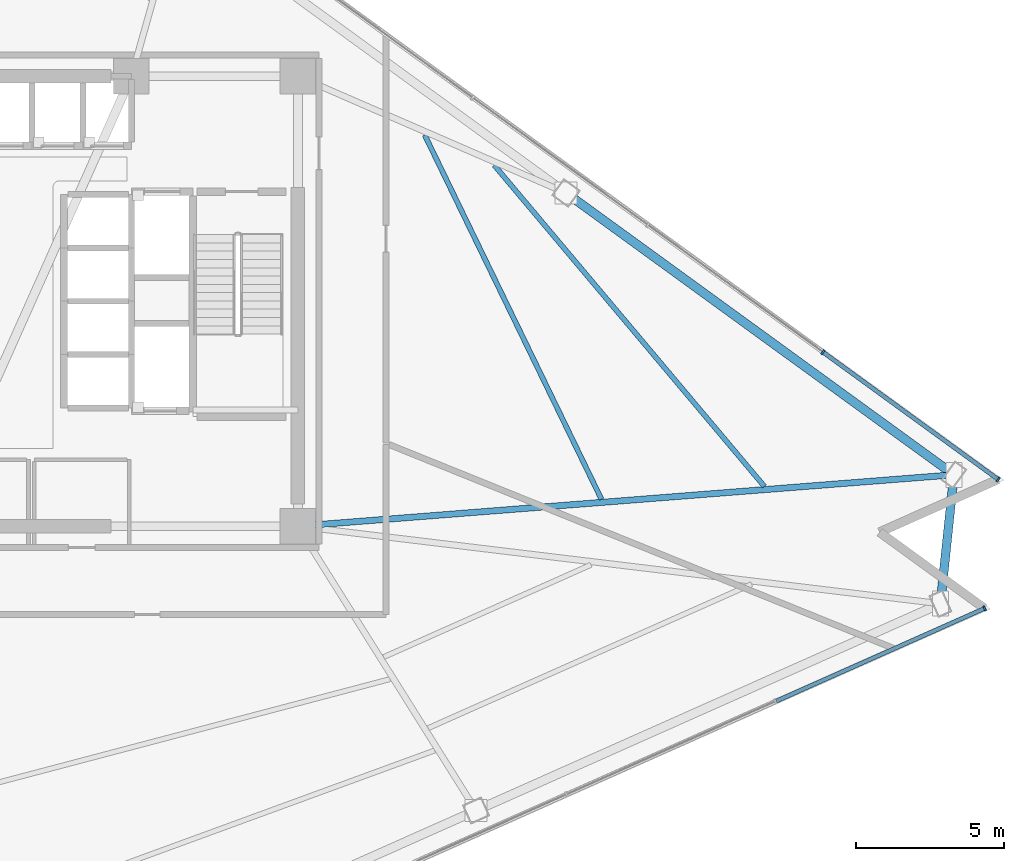
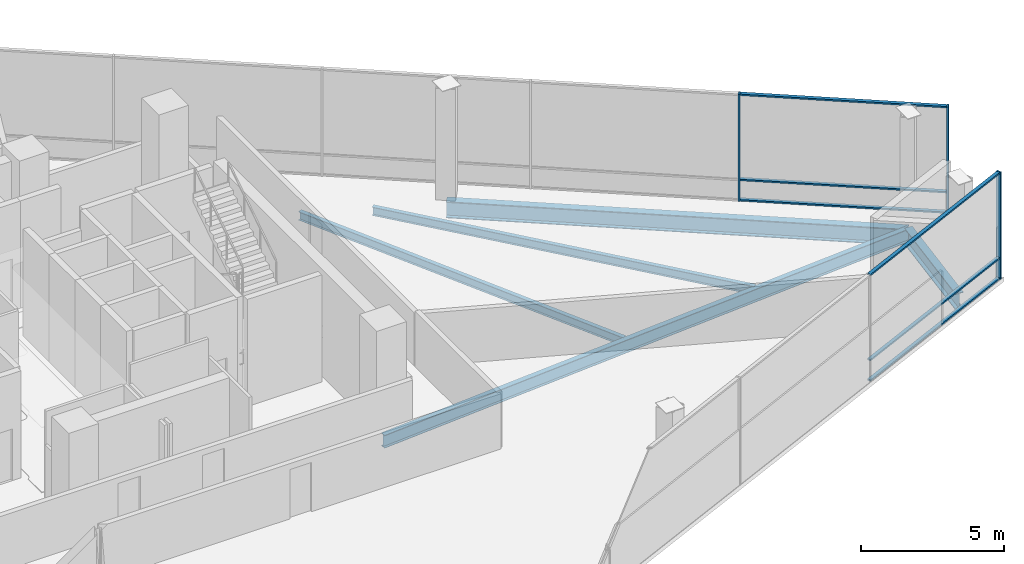
# One storey, part 6 of 18: 9 members, 5 beams, 2 elements without a shape of their own.
"""IFC4 building model written with IfcOpenShell, lengths in metres."""

import ifcopenshell
import ifcopenshell.guid

model = None  # the IFC model being written
_history = None  # IfcOwnerHistory: only IFC2X3 demands one
_inside = {}  # id of a spatial element -> (the spatial element, [elements in it])
_under = {}  # id of a project, library or spatial element -> (it, [spatial elements below it])
_declared = {}  # id of a project -> (the project, [libraries it declares])
_typed = {}  # id of a type object -> (the type object, [elements of that type])
_made_of = {}  # id of a material, layer set ... -> (it, [elements and type objects made of it])


def new_model(schema):
    """Start an empty IFC model of exactly this schema.

    Asked for "IFC4X3", IfcOpenShell would pick the latest addendum, in which some entities
    have other attributes; the version numbers below select the first issue.
    IFC2X3 requires an IfcOwnerHistory on every rooted entity: one is made here for all.
    """
    global model, _history
    if schema == "IFC4X3":
        model = ifcopenshell.file(schema_version=(4, 3, 0, 0))
    else:
        model = ifcopenshell.file(schema=schema)
    _inside.clear()
    _under.clear()
    _declared.clear()
    _typed.clear()
    _made_of.clear()
    _history = None
    if model.schema == "IFC2X3":
        org = make("IfcOrganization", Name="unknown")
        user = make(
            "IfcPersonAndOrganization",
            ThePerson=make("IfcPerson", FamilyName="unknown"),
            TheOrganization=org,
        )
        app = make(
            "IfcApplication",
            ApplicationDeveloper=org,
            Version="unknown",
            ApplicationFullName="unknown",
            ApplicationIdentifier="unknown",
        )
        _history = make(
            "IfcOwnerHistory",
            OwningUser=user,
            OwningApplication=app,
            ChangeAction="ADDED",
            CreationDate=0,
        )
    return model


def make(cls, **values):
    """One entity of the class cls with the attributes given. An attribute that is None is left unset."""
    return model.create_entity(
        cls, **{name: value for name, value in values.items() if value is not None}
    )


def rooted(cls, **values):
    """An entity with a GlobalId (a new one), such as an element, a storey or a relation."""
    return make(cls, GlobalId=ifcopenshell.guid.new(), OwnerHistory=_history, **values)


def si_unit(unit_type, name, prefix=None):
    """IfcSIUnit, for example si_unit("LENGTHUNIT", "METRE", prefix="MILLI")."""
    return make("IfcSIUnit", UnitType=unit_type, Prefix=prefix, Name=name)


def assignment(units):
    """IfcUnitAssignment: the units of a project."""
    return None if units is None else make("IfcUnitAssignment", Units=units)


def point(xyz):
    """IfcCartesianPoint."""
    return None if xyz is None else make("IfcCartesianPoint", Coordinates=xyz)


def direction(xyz):
    """IfcDirection."""
    return None if xyz is None else make("IfcDirection", DirectionRatios=xyz)


def frame(location, z_axis=None, x_axis=None):
    """IfcAxis2Placement3D, a coordinate frame: its origin and axes. An axis left out is left unset."""
    return make(
        "IfcAxis2Placement3D",
        Location=point(location),
        Axis=direction(z_axis),
        RefDirection=direction(x_axis),
    )


def frame_2d(location, x_axis=None):
    """IfcAxis2Placement2D, a coordinate frame in the plane: its origin and x axis."""
    return make(
        "IfcAxis2Placement2D", Location=point(location), RefDirection=direction(x_axis)
    )


def origin():
    """The frame at (0, 0, 0) with its axes left unset."""
    return frame((0.0, 0.0, 0.0))


def origin_2d():
    """The frame at (0, 0) in the plane with its x axis left unset."""
    return frame_2d((0.0, 0.0))


def place(relative_to, where):
    """IfcLocalPlacement: puts the frame where relative to a parent placement (None: the world)."""
    return make(
        "IfcLocalPlacement", PlacementRelTo=relative_to, RelativePlacement=where
    )


def context(
    kind, dimensions, precision=None, world=None, true_north=None, identifier=None
):
    """IfcGeometricRepresentationContext, for example the 3D "Model" context."""
    return make(
        "IfcGeometricRepresentationContext",
        ContextIdentifier=identifier,
        ContextType=kind,
        CoordinateSpaceDimension=dimensions,
        Precision=precision,
        WorldCoordinateSystem=world,
        TrueNorth=true_north,
    )


def subcontext(parent, identifier, kind, view, scale=None):
    """IfcGeometricRepresentationSubContext, for example "Body" below "Model"."""
    return make(
        "IfcGeometricRepresentationSubContext",
        ContextIdentifier=identifier,
        ContextType=kind,
        ParentContext=parent,
        TargetScale=scale,
        TargetView=view,
    )


def project(units=None, contexts=None):
    """IfcProject with its units and contexts."""
    return rooted(
        "IfcProject",
        Name="project",
        RepresentationContexts=contexts,
        UnitsInContext=assignment(units),
    )


def spatial(cls, under=None, at=None, **own):
    """A site, building, storey or space (cls), placed at a placement, below another one or the project."""
    s = rooted(cls, ObjectPlacement=at, **own)
    if under is not None:
        _under.setdefault(under.id(), (under, []))[1].append(s)
    return s


def profile(cls, at=None, kind="AREA", **sizes):
    """A parametric profile (cls). Its sizes go by their IFC names, for example OverallWidth=200.0."""
    return make(cls, ProfileType=kind, Position=at, **sizes)


def rectangle(**sizes):
    """IfcRectangleProfileDef."""
    return profile("IfcRectangleProfileDef", **sizes)


def i_section(**sizes):
    """IfcIShapeProfileDef."""
    return profile("IfcIShapeProfileDef", **sizes)


def extrude(swept, where, along, depth):
    """IfcExtrudedAreaSolid: the profile swept, set in the frame where, extruded along a direction by depth."""
    return make(
        "IfcExtrudedAreaSolid",
        SweptArea=swept,
        Position=where,
        ExtrudedDirection=direction(along),
        Depth=depth,
    )


def shape(context_of_items, identifier, shape_type, items):
    """IfcShapeRepresentation: the items that make up one representation, for example the "Body"."""
    return make(
        "IfcShapeRepresentation",
        ContextOfItems=context_of_items,
        RepresentationIdentifier=identifier,
        RepresentationType=shape_type,
        Items=items,
    )


def material(Name=None, Category=None):
    """IfcMaterial."""
    return make("IfcMaterial", Name=Name, Category=Category)


def layer(
    of_material, thickness, ventilated=None, Name=None, Category=None, Priority=None
):
    """IfcMaterialLayer: one layer of a wall or slab, of a material (None: an air gap)."""
    return make(
        "IfcMaterialLayer",
        Material=of_material,
        LayerThickness=thickness,
        IsVentilated=ventilated,
        Name=Name,
        Category=Category,
        Priority=Priority,
    )


def layer_set(layers, Name=None):
    """IfcMaterialLayerSet."""
    return make("IfcMaterialLayerSet", MaterialLayers=layers, LayerSetName=Name)


def material_profile(
    of_material, cross_section, Name=None, Category=None, Priority=None
):
    """IfcMaterialProfile: a cross section and its material."""
    return make(
        "IfcMaterialProfile",
        Name=Name,
        Material=of_material,
        Profile=cross_section,
        Priority=Priority,
        Category=Category,
    )


def profile_set(profiles, Name=None, composite=None):
    """IfcMaterialProfileSet."""
    return make(
        "IfcMaterialProfileSet",
        Name=Name,
        MaterialProfiles=profiles,
        CompositeProfile=composite,
    )


def made_of(thing, what):
    """Note that an element or type object is made of a material, layer set ...; save() writes the relation."""
    if what is not None:
        _made_of.setdefault(what.id(), (what, []))[1].append(thing)
    return thing


def type_object(cls, material=None, **own):
    """A type object (cls), such as IfcWallType, which elements share."""
    return made_of(rooted(cls, **own), material)


def element(
    cls,
    number,
    at=None,
    inside=None,
    cuts=None,
    type_object=None,
    material=None,
    context=None,
    identifier="Body",
    shape_type=None,
    held_by="IfcProductDefinitionShape",
    body=None,
    shapes=None,
    **own,
):
    """One element of the class cls, such as IfcWall. Its Tag is "e" and its number.

    at: its placement. inside: the storey or other place that contains it. cuts: it is an
    opening in that element (IfcRelVoidsElement). A single representation is given by context,
    identifier, shape_type and body (its items); several are given by shapes. held_by: the class
    of the entity that holds the representations. save() writes the other relations.
    """
    e = rooted(cls, Tag="e%d" % number, ObjectPlacement=at, **own)
    if body is not None:
        shapes = [shape(context, identifier, shape_type, body)]
    if shapes is not None:
        e.Representation = make(held_by, Representations=shapes)
    if inside is not None:
        _inside.setdefault(inside.id(), (inside, []))[1].append(e)
    if cuts is not None:
        rooted(
            "IfcRelVoidsElement", RelatingBuildingElement=cuts, RelatedOpeningElement=e
        )
    if type_object is not None:
        _typed.setdefault(type_object.id(), (type_object, []))[1].append(e)
    return made_of(e, material)


def aggregate(whole, parts):
    """IfcRelAggregates: a whole, such as a stair, and the parts it consists of."""
    return rooted("IfcRelAggregates", RelatingObject=whole, RelatedObjects=parts)


def save(model, path):
    """Write the relations noted so far, then the file.

    IfcRelAggregates (storeys below a building ...), IfcRelContainedInSpatialStructure (elements
    in a storey), IfcRelDefinesByType, IfcRelAssociatesMaterial and IfcRelDeclares: one each for
    every whole, place, type object, material and project.
    """
    for whole, parts in _under.values():
        aggregate(whole, parts)
    for where, things in _inside.values():
        rooted(
            "IfcRelContainedInSpatialStructure",
            RelatedElements=things,
            RelatingStructure=where,
        )
    for kind, things in _typed.values():
        rooted("IfcRelDefinesByType", RelatedObjects=things, RelatingType=kind)
    for what, things in _made_of.values():
        rooted("IfcRelAssociatesMaterial", RelatedObjects=things, RelatingMaterial=what)
    for by, libraries in _declared.values():
        rooted("IfcRelDeclares", RelatingContext=by, RelatedDefinitions=libraries)
    model.write(path)


model = new_model("IFC4")

# Units and contexts
model_context = context("Model", 3, precision=1e-05, world=origin(), true_north=direction((0.0, 1.0)))
body_context = subcontext(model_context, "Body", "Model", "MODEL_VIEW")
ifc_project = project(units=[si_unit("LENGTHUNIT", "METRE"), si_unit("AREAUNIT", "SQUARE_METRE"), si_unit("VOLUMEUNIT", "CUBIC_METRE"), si_unit("PLANEANGLEUNIT", "RADIAN"), si_unit("MASSUNIT", "GRAM", prefix="KILO")], contexts=[model_context])

# Site, building, storey
site_placement = place(None, origin())
site = spatial("IfcSite", under=ifc_project, at=site_placement, CompositionType="ELEMENT")
building_placement = place(site_placement, origin())
building = spatial("IfcBuilding", under=site, at=building_placement, Name="Tharavind Bronze Gate", CompositionType="ELEMENT")
storey_placement = place(building_placement, frame((0.0, 0.0, 134.050048828125)))
storey = spatial("IfcBuildingStorey", under=building, at=storey_placement, Name="L34", CompositionType="ELEMENT", Elevation=134.050048828125)

# Curtain wall, member
ifc_material_1 = material(Name="Anodised Bronze Aluminium", Category="aluminium")
ifc_layer = layer(ifc_material_1, 0.219970703125)
ifc_layer_set = layer_set([ifc_layer], Name="Anodised Bronze Aluminium")
curtain_wall_type = type_object("IfcCurtainWallType", Name="UNITISED CURTAIN WALL LOWER OFFICE", PredefinedType="USERDEFINED", material=ifc_layer_set)
curtain_wall_1_placement = place(storey_placement, origin())
curtain_wall_1 = element("IfcCurtainWall", 1, at=curtain_wall_1_placement, inside=storey, type_object=curtain_wall_type, Name="L34 unitised curtain wall lower office CW-L34-S2", ObjectType="UNITISED CURTAIN WALL", PredefinedType="USERDEFINED")
member_type_1 = type_object("IfcMemberType", Name="CURTAIN WALL BRONZE MULLION 65X180", PredefinedType="MULLION", material=ifc_material_1)
member_1_placement = place(storey_placement, frame((32.099853515625, -10.3759765625, 0.0), z_axis=(0.0, 0.0, 1.0), x_axis=(0.913545457643, 0.406736643076, 0.0)))
member_1 = element("IfcMember", 2, at=member_1_placement, type_object=member_type_1, Name="CW-L34-S2 mullion 8", PredefinedType="MULLION", context=body_context, shape_type="SweptSolid", body=[
    extrude(rectangle(XDim=0.06494140625, YDim=0.179931640625, at=origin_2d()), origin(), (0.0, 0.0, 1.0), 4.56005859375),
])

# Curtain wall, members
curtain_wall_2_placement = place(storey_placement, origin())
curtain_wall_2 = element("IfcCurtainWall", 3, at=curtain_wall_2_placement, inside=storey, type_object=curtain_wall_type, Name="L34 unitised curtain wall lower office CW-L34-S3", ObjectType="UNITISED CURTAIN WALL", PredefinedType="USERDEFINED")
member_2_placement = place(storey_placement, frame((32.5576171875, -6.02001953125, 0.0), z_axis=(0.0, 0.0, 1.0), x_axis=(-0.809016994375, 0.587785252292, 0.0)))
member_2 = element("IfcMember", 4, at=member_2_placement, type_object=member_type_1, Name="CW-L34-S3 mullion 1", PredefinedType="MULLION", context=body_context, shape_type="SweptSolid", body=[
    extrude(rectangle(XDim=0.06494140625, YDim=0.179931640625, at=origin_2d()), origin(), (0.0, 0.0, 1.0), 4.56005859375),
])
member_3_placement = place(storey_placement, frame((26.64111328125, -1.72119140625, 0.0), z_axis=(0.0, 0.0, 1.0), x_axis=(-0.809016994375, 0.587785252292, 0.0)))
member_3 = element("IfcMember", 5, at=member_3_placement, type_object=member_type_1, Name="CW-L34-S3 mullion 2", PredefinedType="MULLION", context=body_context, shape_type="SweptSolid", body=[
    extrude(rectangle(XDim=0.06494140625, YDim=0.179931640625, at=origin_2d()), origin(), (0.0, 0.0, 1.0), 4.56005859375),
])

# Member
member_type_2 = type_object("IfcMemberType", Name="CURTAIN WALL BRONZE TRANSOM 65X140", PredefinedType="USERDEFINED", material=ifc_material_1)
member_4_placement = place(storey_placement, frame((28.568603515625, -11.947998046875, 0.0), z_axis=(0.0, 0.0, 1.0), x_axis=(0.913545457643, 0.406736643076, 0.0)))
member_4 = element("IfcMember", 6, at=member_4_placement, type_object=member_type_2, Name="CW-L34-S2 transom TB7", ObjectType="TRANSOM", PredefinedType="USERDEFINED", context=body_context, shape_type="SweptSolid", body=[
    extrude(rectangle(XDim=7.677490234375, YDim=0.139892578125, at=origin_2d()), origin(), (0.0, 0.0, 1.0), 0.06494140625),
])

member_5_placement = place(storey_placement, frame((28.568603515625, -11.947998046875, 0.867431640625), z_axis=(0.0, 0.0, 1.0), x_axis=(0.913545457643, 0.406736643076, 0.0)))
member_5 = element("IfcMember", 7, at=member_5_placement, type_object=member_type_2, Name="CW-L34-S2 transom TS7", ObjectType="TRANSOM", PredefinedType="USERDEFINED", context=body_context, shape_type="SweptSolid", body=[
    extrude(rectangle(XDim=7.677490234375, YDim=0.139892578125, at=origin_2d()), origin(), (0.0, 0.0, 1.0), 0.06494140625),
])

member_6_placement = place(storey_placement, frame((28.568603515625, -11.947998046875, 4.494873046875), z_axis=(0.0, 0.0, 1.0), x_axis=(0.913545457643, 0.406736643076, 0.0)))
member_6 = element("IfcMember", 8, at=member_6_placement, type_object=member_type_2, Name="CW-L34-S2 transom TT7", ObjectType="TRANSOM", PredefinedType="USERDEFINED", context=body_context, shape_type="SweptSolid", body=[
    extrude(rectangle(XDim=7.677490234375, YDim=0.139892578125, at=origin_2d()), origin(), (0.0, 0.0, 1.0), 0.06494140625),
])

aggregate(curtain_wall_1, [member_1, member_4, member_5, member_6])

member_7_placement = place(storey_placement, frame((29.599365234375, -3.87060546875, 0.0), z_axis=(0.0, 0.0, 1.0), x_axis=(-0.809016994375, 0.587785252292, 0.0)))
member_7 = element("IfcMember", 9, at=member_7_placement, type_object=member_type_2, Name="CW-L34-S3 transom TB1", ObjectType="TRANSOM", PredefinedType="USERDEFINED", context=body_context, shape_type="SweptSolid", body=[
    extrude(rectangle(XDim=7.260498046875, YDim=0.139892578125, at=origin_2d()), origin(), (0.0, 0.0, 1.0), 0.06494140625),
])

member_8_placement = place(storey_placement, frame((29.599365234375, -3.87060546875, 0.867431640625), z_axis=(0.0, 0.0, 1.0), x_axis=(-0.809016994375, 0.587785252292, 0.0)))
member_8 = element("IfcMember", 10, at=member_8_placement, type_object=member_type_2, Name="CW-L34-S3 transom TS1", ObjectType="TRANSOM", PredefinedType="USERDEFINED", context=body_context, shape_type="SweptSolid", body=[
    extrude(rectangle(XDim=7.260498046875, YDim=0.139892578125, at=origin_2d()), origin(), (0.0, 0.0, 1.0), 0.06494140625),
])

member_9_placement = place(storey_placement, frame((29.599365234375, -3.87060546875, 4.494873046875), z_axis=(0.0, 0.0, 1.0), x_axis=(-0.809016994375, 0.587785252292, 0.0)))
member_9 = element("IfcMember", 11, at=member_9_placement, type_object=member_type_2, Name="CW-L34-S3 transom TT1", ObjectType="TRANSOM", PredefinedType="USERDEFINED", context=body_context, shape_type="SweptSolid", body=[
    extrude(rectangle(XDim=7.260498046875, YDim=0.139892578125, at=origin_2d()), origin(), (0.0, 0.0, 1.0), 0.06494140625),
])

aggregate(curtain_wall_2, [member_2, member_3, member_7, member_8, member_9])

# Beams
ifc_material_2 = material(Name="Steel S355", Category="steel")
ifc_material_profile_1 = material_profile(ifc_material_2, i_section(OverallWidth=0.2099609375, OverallDepth=0.550048828125, WebThickness=0.010986328125, FlangeThickness=0.01708984375, at=origin_2d()), Name="IPE550")
ifc_profile_set_1 = profile_set([ifc_material_profile_1], Name="Steel S355")
beam_type_1 = type_object("IfcBeamType", Name="PRIMARY GIRDER IPE550", PredefinedType="USERDEFINED", material=ifc_profile_set_1)
beam_1_placement = place(storey_placement, frame((31.06591796875, -5.863037109375, -0.465087890625), z_axis=(-0.996943461066, -0.078126406792, 0.0), x_axis=(0.078126406792, -0.996943461066, 0.0)))
element("IfcBeam", 12, at=beam_1_placement, inside=storey, type_object=beam_type_1, Name="L34 primary girder ipe550 BM-L34-RAD09", ObjectType="GIRDER", PredefinedType="USERDEFINED", context=body_context, shape_type="SweptSolid", body=[
    extrude(i_section(OverallWidth=0.2099609375, OverallDepth=0.550048828125, WebThickness=0.010986328125, FlangeThickness=0.01708984375, at=origin_2d()), origin(), (0.0, 0.0, 1.0), 22.23388671875),
])
ifc_material_profile_2 = material_profile(ifc_material_2, i_section(OverallWidth=0.300048828125, OverallDepth=0.699951171875, WebThickness=0.01708984375, FlangeThickness=0.031982421875, at=origin_2d()), Name="HE700B")
ifc_profile_set_2 = profile_set([ifc_material_profile_2], Name="Steel S355")
beam_type_2 = type_object("IfcBeamType", Name="RING GIRDER HE700B", PredefinedType="USERDEFINED", material=ifc_profile_set_2)
beam_2_placement = place(storey_placement, frame((30.60791015625, -10.218994140625, -0.5400390625), z_axis=(0.1045687219, 0.994517663192, 0.0), x_axis=(-0.994517663192, 0.1045687219, 0.0)))
element("IfcBeam", 13, at=beam_2_placement, inside=storey, type_object=beam_type_2, Name="L34 ring girder he700b BM-L34-PRG08", ObjectType="GIRDER", PredefinedType="USERDEFINED", context=body_context, shape_type="SweptSolid", body=[
    extrude(i_section(OverallWidth=0.300048828125, OverallDepth=0.699951171875, WebThickness=0.01708984375, FlangeThickness=0.031982421875, at=origin_2d()), origin(), (0.0, 0.0, 1.0), 4.3798828125),
])
beam_3_placement = place(storey_placement, frame((31.06591796875, -5.863037109375, -0.5400390625), z_axis=(-0.809014294341, 0.587788968553, 0.0), x_axis=(-0.587788968553, -0.809014294341, 0.0)))
element("IfcBeam", 14, at=beam_3_placement, inside=storey, type_object=beam_type_2, Name="L34 ring girder he700b BM-L34-PRG09", ObjectType="GIRDER", PredefinedType="USERDEFINED", context=body_context, shape_type="SweptSolid", body=[
    extrude(i_section(OverallWidth=0.300048828125, OverallDepth=0.699951171875, WebThickness=0.01708984375, FlangeThickness=0.031982421875, at=origin_2d()), origin(), (0.0, 0.0, 1.0), 16.198486328125),
])
ifc_material_profile_3 = material_profile(ifc_material_2, i_section(OverallWidth=0.169921875, OverallDepth=0.360107421875, WebThickness=0.008056640625, FlangeThickness=0.0126953125, at=origin_2d()), Name="IPE360")
ifc_profile_set_3 = profile_set([ifc_material_profile_3], Name="Steel S355")
beam_type_3 = type_object("IfcBeamType", Name="SECONDARY FLOOR JOIST IPE360", PredefinedType="JOIST", material=ifc_profile_set_3)
beam_4_placement = place(storey_placement, frame((19.15625, -6.687255859375, -0.3701171875), z_axis=(-0.436529248779, 0.899690066056, 0.0), x_axis=(-0.899690066056, -0.436529248779, 0.0)))
element("IfcBeam", 15, at=beam_4_placement, inside=storey, type_object=beam_type_3, Name="L34 secondary floor joist ipe360 BM-L34-JSTA09", PredefinedType="JOIST", context=body_context, shape_type="SweptSolid", body=[
    extrude(i_section(OverallWidth=0.169921875, OverallDepth=0.360107421875, WebThickness=0.008056640625, FlangeThickness=0.0126953125, at=origin_2d()), origin(), (0.0, 0.0, 1.0), 13.677734375),
])
beam_5_placement = place(storey_placement, frame((24.662841796875, -6.256103515625, -0.3701171875), z_axis=(-0.643699388619, 0.765278444157, 0.0), x_axis=(-0.765278444157, -0.643699388619, 0.0)))
element("IfcBeam", 16, at=beam_5_placement, inside=storey, type_object=beam_type_3, Name="L34 secondary floor joist ipe360 BM-L34-JSTB09", PredefinedType="JOIST", context=body_context, shape_type="SweptSolid", body=[
    extrude(i_section(OverallWidth=0.169921875, OverallDepth=0.360107421875, WebThickness=0.008056640625, FlangeThickness=0.0126953125, at=origin_2d()), origin(), (0.0, 0.0, 1.0), 14.18310546875),
])

save(model, "model.ifc")
